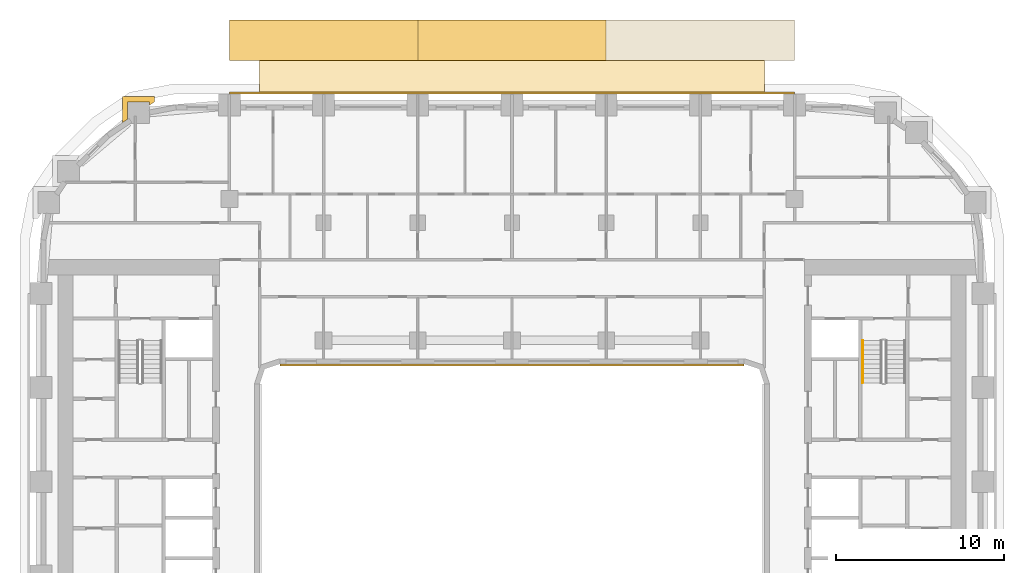
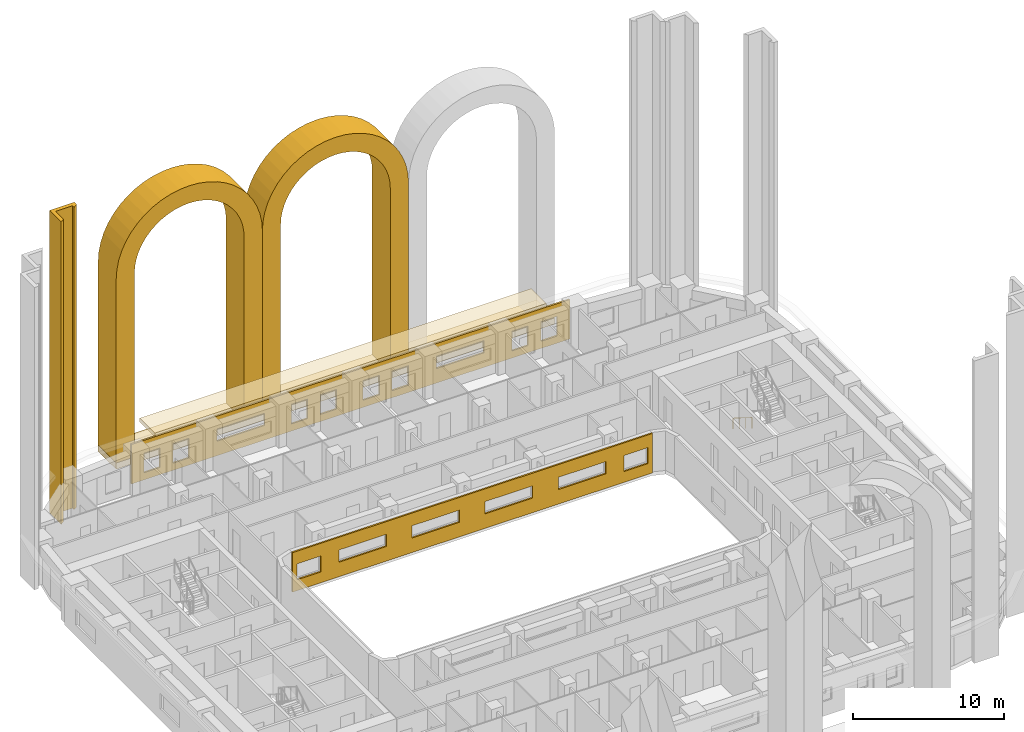
# One storey, part 18 of 19: 7 coverings, 1 railing.
"""IFC4 building model written with IfcOpenShell, lengths in metres."""

from ifc_helpers import new_model, si_unit, direction, frame, origin, origin_2d, place, context, subcontext, project, spatial, polyline, circle, outline, extrude, material, layer, layer_set, type_object, element, save


model = new_model("IFC4")

# Units and contexts
model_context = context("Model", 3, precision=1e-05, world=origin(), true_north=direction((0.0, 1.0)))
body_context = subcontext(model_context, "Body", "Model", "MODEL_VIEW")
ifc_project = project(units=[si_unit("LENGTHUNIT", "METRE"), si_unit("AREAUNIT", "SQUARE_METRE"), si_unit("VOLUMEUNIT", "CUBIC_METRE"), si_unit("PLANEANGLEUNIT", "RADIAN"), si_unit("MASSUNIT", "GRAM", prefix="KILO")], contexts=[model_context])

# Site, building, storey
site_placement = place(None, origin())
site = spatial("IfcSite", under=ifc_project, at=site_placement, CompositionType="ELEMENT")
building_placement = place(site_placement, origin())
building = spatial("IfcBuilding", under=site, at=building_placement, Name="Kiln Ring Residences", CompositionType="ELEMENT")
storey_placement = place(building_placement, frame((0.0, 0.0, 83.300048828125)))
storey = spatial("IfcBuildingStorey", under=building, at=storey_placement, Name="L20", CompositionType="ELEMENT", Elevation=83.300048828125)

# Coverings
ifc_material_1 = material(Name="Brick masonry, dark clay brick", Category="masonry")
ifc_layer_1 = layer(ifc_material_1, 0.5)
ifc_layer_set_1 = layer_set([ifc_layer_1], Name="ARCADE PLINTH 500")
covering_type_1 = type_object("IfcCoveringType", Name="ARCADE PLINTH 500", PredefinedType="CLADDING", material=ifc_layer_set_1)
placement = place(storey_placement, origin())
element("IfcCovering", 1, at=placement, inside=storey, type_object=covering_type_1, Name="ARCADE PLINTH Z2 N", PredefinedType="CLADDING", context=body_context, shape_type="SweptSolid", body=[
    extrude(outline(polyline([(-16.800048828125, 25.050048828125), (16.800048828125, 25.050048828125), (16.800048828125, 27.449951171875), (-16.800048828125, 27.449951171875), (-16.800048828125, 25.050048828125)])), origin(), (0.0, 0.0, 1.0), 0.5),
])
ifc_material_2 = material(Name="Brick masonry, dark clay brick", Category="masonry")
ifc_layer_2 = layer(ifc_material_2, 1.39990234375)
ifc_layer_set_2 = layer_set([ifc_layer_2], Name="ARCH SURROUND 2400")
covering_type_2 = type_object("IfcCoveringType", Name="ARCH SURROUND 2400", PredefinedType="CLADDING", material=ifc_layer_set_2)
covering_2_placement = place(storey_placement, frame((-16.800048828125, 26.25, 0.5), z_axis=(0.0, 0.0, 1.0), x_axis=(1.0, 0.0, 0.0)))
element("IfcCovering", 2, at=covering_2_placement, inside=storey, type_object=covering_type_2, Name="ARCH SURROUND Z2 N1.1", PredefinedType="CLADDING", context=body_context, shape_type="SweptSolid", body=[
    extrude(outline(polyline([(0.0, 0.0), (0.0, 14.89990234375), (0.0478515625, 15.630859375), (0.19091796875, 16.349365234375), (0.42626953125, 17.04296875), (0.750244140625, 17.699951171875), (1.1572265625, 18.30908203125), (1.64013671875, 18.85986328125), (2.19091796875, 19.3427734375), (2.800048828125, 19.749755859375), (3.45703125, 20.07373046875), (4.150634765625, 20.30908203125), (4.869140625, 20.4521484375), (5.60009765625, 20.5), (6.330810546875, 20.4521484375), (7.04931640625, 20.30908203125), (7.742919921875, 20.07373046875), (8.39990234375, 19.749755859375), (9.009033203125, 19.3427734375), (9.559814453125, 18.85986328125), (10.042724609375, 18.30908203125), (10.44970703125, 17.699951171875), (10.773681640625, 17.04296875), (11.00927734375, 16.349365234375), (11.152099609375, 15.630859375), (11.199951171875, 14.89990234375), (11.199951171875, 0.0), (9.800048828125, 0.0), (9.800048828125, 14.89990234375), (9.76416015625, 15.4482421875), (9.656982421875, 15.987060546875), (9.480224609375, 16.50732421875), (9.2373046875, 17.0), (8.93212890625, 17.456787109375), (8.56982421875, 17.869873046875), (8.15673828125, 18.23193359375), (7.699951171875, 18.537353515625), (7.207275390625, 18.7802734375), (6.68701171875, 18.956787109375), (6.148193359375, 19.06396484375), (5.60009765625, 19.099853515625), (5.0517578125, 19.06396484375), (4.512939453125, 18.956787109375), (3.99267578125, 18.7802734375), (3.5, 18.537353515625), (3.043212890625, 18.23193359375), (2.630126953125, 17.869873046875), (2.267822265625, 17.456787109375), (1.962646484375, 17.0), (1.7197265625, 16.50732421875), (1.543212890625, 15.987060546875), (1.435791015625, 15.4482421875), (1.39990234375, 14.89990234375), (1.39990234375, 0.0), (0.0, 0.0)])), frame((0.0, 1.199951171875, 0.0), z_axis=(0.0, -1.0, 0.0), x_axis=(1.0, 0.0, 0.0)), (0.0, 0.0, 1.0), 2.39990234375),
])
covering_3_placement = place(storey_placement, frame((-5.60009765625, 26.25, 0.5), z_axis=(0.0, 0.0, 1.0), x_axis=(1.0, 0.0, 0.0)))
element("IfcCovering", 3, at=covering_3_placement, inside=storey, type_object=covering_type_2, Name="ARCH SURROUND Z2 N1.2", PredefinedType="CLADDING", context=body_context, shape_type="SweptSolid", body=[
    extrude(outline(polyline([(0.0, 0.0), (0.0, 14.89990234375), (0.0478515625, 15.630859375), (0.19091796875, 16.349365234375), (0.42626953125, 17.04296875), (0.750244140625, 17.699951171875), (1.1572265625, 18.30908203125), (1.64013671875, 18.85986328125), (2.19091796875, 19.3427734375), (2.800048828125, 19.749755859375), (3.45703125, 20.07373046875), (4.150634765625, 20.30908203125), (4.869140625, 20.4521484375), (5.60009765625, 20.5), (6.330810546875, 20.4521484375), (7.04931640625, 20.30908203125), (7.742919921875, 20.07373046875), (8.39990234375, 19.749755859375), (9.009033203125, 19.3427734375), (9.559814453125, 18.85986328125), (10.042724609375, 18.30908203125), (10.44970703125, 17.699951171875), (10.773681640625, 17.04296875), (11.00927734375, 16.349365234375), (11.152099609375, 15.630859375), (11.199951171875, 14.89990234375), (11.199951171875, 0.0), (9.800048828125, 0.0), (9.800048828125, 14.89990234375), (9.76416015625, 15.4482421875), (9.656982421875, 15.987060546875), (9.480224609375, 16.50732421875), (9.2373046875, 17.0), (8.93212890625, 17.456787109375), (8.56982421875, 17.869873046875), (8.15673828125, 18.23193359375), (7.699951171875, 18.537353515625), (7.207275390625, 18.7802734375), (6.68701171875, 18.956787109375), (6.148193359375, 19.06396484375), (5.60009765625, 19.099853515625), (5.0517578125, 19.06396484375), (4.512939453125, 18.956787109375), (3.99267578125, 18.7802734375), (3.5, 18.537353515625), (3.043212890625, 18.23193359375), (2.630126953125, 17.869873046875), (2.267822265625, 17.456787109375), (1.962646484375, 17.0), (1.7197265625, 16.50732421875), (1.543212890625, 15.987060546875), (1.435791015625, 15.4482421875), (1.39990234375, 14.89990234375), (1.39990234375, 0.0), (0.0, 0.0)])), frame((0.0, 1.199951171875, 0.0), z_axis=(0.0, -1.0, 0.0), x_axis=(1.0, 0.0, 0.0)), (0.0, 0.0, 1.0), 2.39990234375),
])

# Railing
ifc_material_3 = material(Name="Stainless steel", Category="steel")
railing_type = type_object("IfcRailingType", Name="CORE-STAIR-HANDRAIL", PredefinedType="HANDRAIL", material=ifc_material_3)
railing_placement = place(storey_placement, frame((20.85009765625, 8.39990234375, 0.175048828125)))
element("IfcRailing", 4, at=railing_placement, inside=storey, type_object=railing_type, Name="L20 E-STN stair handrail 1", PredefinedType="HANDRAIL", context=body_context, shape_type="SweptSolid", body=[
    extrude(circle(Radius=0.02392578125, at=origin_2d()), frame((0.0, 0.0, 0.8759765625), z_axis=(0.0, -0.848007534815, 0.529984170421), x_axis=(1.0, 0.0, 0.0)), (0.0, 0.0, 1.0), 2.9716796875),
    extrude(circle(Radius=0.02099609375, at=origin_2d()), origin(), (0.0, 0.0, 1.0), 0.851806640625),
    extrude(circle(Radius=0.02099609375, at=origin_2d()), frame((0.0, -0.840087890625, 0.52490234375)), (0.0, 0.0, 1.0), 0.851806640625),
    extrude(circle(Radius=0.02099609375, at=origin_2d()), frame((0.0, -1.679931640625, 1.050048828125)), (0.0, 0.0, 1.0), 0.851806640625),
    extrude(circle(Radius=0.02099609375, at=origin_2d()), frame((0.0, -2.52001953125, 1.574951171875)), (0.0, 0.0, 1.0), 0.851806640625),
])

# Coverings
ifc_material_4 = material(Name="Brick masonry, dark clay brick", Category="masonry")
ifc_layer_3 = layer(ifc_material_4, 0.300048828125)
ifc_layer_set_3 = layer_set([ifc_layer_3], Name="PIER CLADDING 300")
covering_type_3 = type_object("IfcCoveringType", Name="PIER CLADDING 300", PredefinedType="CLADDING", material=ifc_layer_set_3)
element("IfcCovering", 5, at=placement, inside=storey, type_object=covering_type_3, Name="PIER CLADDING L20-L26", PredefinedType="CLADDING", context=body_context, shape_type="SweptSolid", body=[
    extrude(outline(polyline([(-21.2587890625, 22.88818359375), (-23.15869140625, 22.88818359375), (-23.15869140625, 21.340576171875), (-22.858642578125, 21.54443359375), (-22.858642578125, 22.588134765625), (-21.55859375, 22.588134765625), (-21.55859375, 22.3798828125), (-21.2587890625, 22.583740234375), (-21.2587890625, 22.88818359375)])), origin(), (0.0, 0.0, 1.0), 24.5),
])
ifc_material_5 = material(Name="Brick masonry, dark clay brick", Category="masonry")
ifc_layer_4 = layer(ifc_material_5, 0.1201171875)
ifc_layer_set_4 = layer_set([ifc_layer_4], Name="RAINSCREEN PANEL 120")
covering_type_4 = type_object("IfcCoveringType", Name="RAINSCREEN PANEL 120", PredefinedType="CLADDING", material=ifc_layer_set_4)
covering_5_placement = place(storey_placement, frame((16.800048828125, 23.110107421875, 0.0), z_axis=(0.0, 0.0, 1.0), x_axis=(-1.0, 0.0, 0.0)))
element("IfcCovering", 6, at=covering_5_placement, inside=storey, type_object=covering_type_4, Name="RAINSCREEN L20", PredefinedType="CLADDING", context=body_context, shape_type="SweptSolid", body=[
    extrude(outline(polyline([(0.0, 0.0), (33.60009765625, 0.0), (33.60009765625, 3.199951171875), (0.0, 3.199951171875), (0.0, 0.0)]), holes=[polyline([(0.967529296875, 0.579833984375), (2.20751953125, 0.579833984375), (2.20751953125, 2.169921875), (0.967529296875, 2.169921875), (0.967529296875, 0.579833984375)]), polyline([(3.1923828125, 0.579833984375), (4.4326171875, 0.579833984375), (4.4326171875, 2.169921875), (3.1923828125, 2.169921875), (3.1923828125, 0.579833984375)]), polyline([(12.367431640625, 0.579833984375), (13.607421875, 0.579833984375), (13.607421875, 2.169921875), (12.367431640625, 2.169921875), (12.367431640625, 0.579833984375)]), polyline([(14.592529296875, 2.169921875), (14.592529296875, 0.579833984375), (15.83251953125, 0.579833984375), (15.83251953125, 2.169921875), (14.592529296875, 2.169921875)]), polyline([(17.867431640625, 2.169921875), (17.867431640625, 0.579833984375), (19.107421875, 0.579833984375), (19.107421875, 2.169921875), (17.867431640625, 2.169921875)]), polyline([(20.092529296875, 0.579833984375), (21.33251953125, 0.579833984375), (21.33251953125, 2.169921875), (20.092529296875, 2.169921875), (20.092529296875, 0.579833984375)]), polyline([(29.16748046875, 0.579833984375), (30.407470703125, 0.579833984375), (30.407470703125, 2.169921875), (29.16748046875, 2.169921875), (29.16748046875, 0.579833984375)]), polyline([(31.392578125, 0.579833984375), (32.632568359375, 0.579833984375), (32.632568359375, 2.169921875), (31.392578125, 2.169921875), (31.392578125, 0.579833984375)]), polyline([(6.580078125, 2.169921875), (6.580078125, 1.179931640625), (10.219970703125, 1.179931640625), (10.219970703125, 2.169921875), (6.580078125, 2.169921875)]), polyline([(23.3798828125, 2.169921875), (23.3798828125, 1.179931640625), (27.02001953125, 1.179931640625), (27.02001953125, 2.169921875), (23.3798828125, 2.169921875)])]), frame((0.0, 0.06005859375, 0.0), z_axis=(0.0, -1.0, 0.0), x_axis=(1.0, 0.0, 0.0)), (0.0, 0.0, 1.0), 0.1201171875),
])
covering_6_placement = place(storey_placement, frame((-13.800048828125, 6.93994140625, 0.0), z_axis=(0.0, 0.0, 1.0), x_axis=(1.0, 0.0, 0.0)))
element("IfcCovering", 7, at=covering_6_placement, inside=storey, type_object=covering_type_4, Name="RAINSCREEN L20", PredefinedType="CLADDING", context=body_context, shape_type="SweptSolid", body=[
    extrude(outline(polyline([(0.0, 0.0), (27.60009765625, 0.0), (27.60009765625, 3.199951171875), (0.0, 3.199951171875), (0.0, 0.0)]), holes=[polyline([(2.1826171875, 0.8798828125), (2.1826171875, 2.169921875), (0.342529296875, 2.169921875), (0.342529296875, 0.8798828125), (2.1826171875, 0.8798828125)]), polyline([(25.41748046875, 0.8798828125), (27.257568359375, 0.8798828125), (27.257568359375, 2.169921875), (25.41748046875, 2.169921875), (25.41748046875, 0.8798828125)]), polyline([(3.580078125, 1.179931640625), (7.219970703125, 1.179931640625), (7.219970703125, 2.169921875), (3.580078125, 2.169921875), (3.580078125, 1.179931640625)]), polyline([(12.820068359375, 1.179931640625), (12.820068359375, 2.169921875), (9.179931640625, 2.169921875), (9.179931640625, 1.179931640625), (12.820068359375, 1.179931640625)]), polyline([(14.780029296875, 1.179931640625), (18.419921875, 1.179931640625), (18.419921875, 2.169921875), (14.780029296875, 2.169921875), (14.780029296875, 1.179931640625)]), polyline([(20.3798828125, 1.179931640625), (24.02001953125, 1.179931640625), (24.02001953125, 2.169921875), (20.3798828125, 2.169921875), (20.3798828125, 1.179931640625)])]), frame((0.0, 0.06005859375, 0.0), z_axis=(0.0, -1.0, 0.0), x_axis=(1.0, 0.0, 0.0)), (0.0, 0.0, 1.0), 0.1201171875),
])
ifc_material_6 = material(Name="Black powder-coated steel", Category="steel")
ifc_layer_5 = layer(ifc_material_6, 0.300048828125)
ifc_layer_set_5 = layer_set([ifc_layer_5], Name="SUNSHADE BAND 2000")
covering_type_5 = type_object("IfcCoveringType", Name="SUNSHADE BAND 2000", PredefinedType="CLADDING", material=ifc_layer_set_5)
covering_7_placement = place(storey_placement, frame((0.0, 0.0, 3.199951171875)))
element("IfcCovering", 8, at=covering_7_placement, inside=storey, type_object=covering_type_5, Name="SUNSHADE BAND L20", PredefinedType="CLADDING", context=body_context, shape_type="SweptSolid", body=[
    extrude(outline(polyline([(15.0, 25.050048828125), (-15.0, 25.050048828125), (-15.0, 23.050048828125), (15.0, 23.050048828125), (15.0, 25.050048828125)])), origin(), (0.0, 0.0, 1.0), 0.300048828125),
])

save(model, "model.ifc")
